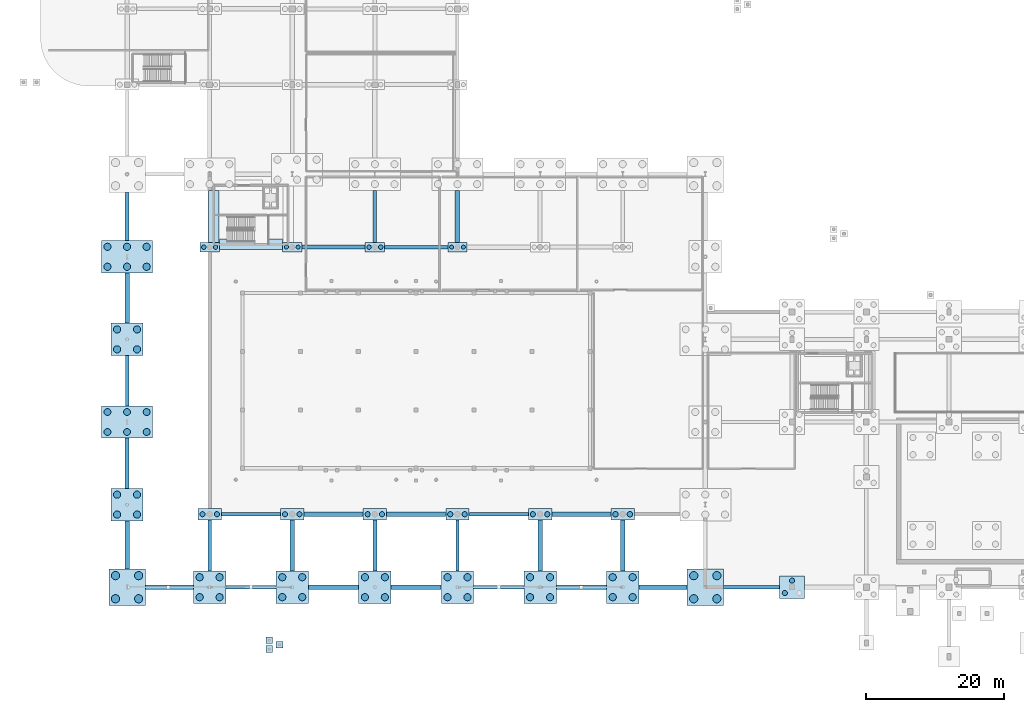
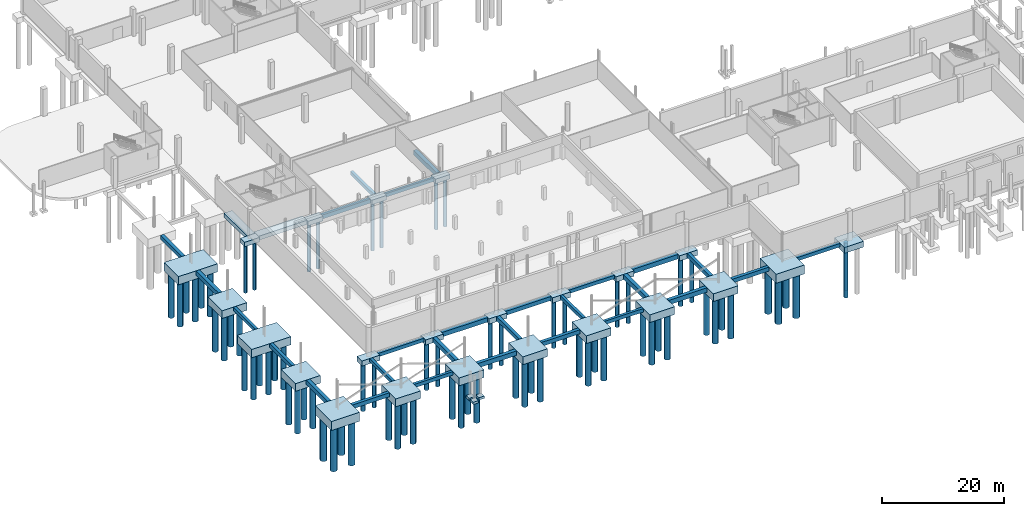
# One storey, part 1 of 42: 74 piles, 56 footings.
"""IFC4 building model written with IfcOpenShell, lengths in metres."""

from ifc_helpers import new_model, si_unit, direction, frame, origin, origin_2d, place, context, subcontext, project, spatial, rectangle, circle, extrude, material, material_profile, profile_set, type_object, element, save


model = new_model("IFC4")

# Units and contexts
model_context = context("Model", 3, precision=1e-05, world=origin(), true_north=direction((0.0, 1.0)))
body_context = subcontext(model_context, "Body", "Model", "MODEL_VIEW")
ifc_project = project(units=[si_unit("LENGTHUNIT", "METRE"), si_unit("AREAUNIT", "SQUARE_METRE"), si_unit("VOLUMEUNIT", "CUBIC_METRE"), si_unit("PLANEANGLEUNIT", "RADIAN"), si_unit("MASSUNIT", "GRAM", prefix="KILO"), si_unit("THERMODYNAMICTEMPERATUREUNIT", "KELVIN"), si_unit("POWERUNIT", "WATT")], contexts=[model_context])

# Site, building, storey
site_placement = place(None, origin())
site = spatial("IfcSite", under=ifc_project, at=site_placement, CompositionType="ELEMENT")
building_placement = place(site_placement, origin())
building = spatial("IfcBuilding", under=site, at=building_placement, Name="Solmara Park Aquatics Centre", CompositionType="ELEMENT")
storey_placement = place(building_placement, frame((0.0, 0.0, -5.39990234375)))
storey = spatial("IfcBuildingStorey", under=building, at=storey_placement, Name="B1", CompositionType="ELEMENT", Elevation=-5.39990234375)

# Footings
ifc_material = material(Name="Watertight Concrete C45/55", Category="concrete")
footing_type_1 = type_object("IfcFootingType", Name="STR-FB-500x700", PredefinedType="FOOTING_BEAM", material=ifc_material)
for number, where, z_axis, x_axis, name in (
    (1, (30.60009765625, 12.60009765625, -1.25), (0.0, 0.0, 1.0), (1.0, 0.0, 0.0), "Ground Tie Beam FB-002"),
    (2, (66.60009765625, 12.60009765625, -1.25), (0.0, 0.0, 1.0), (1.0, 0.0, 0.0), "Ground Tie Beam FB-005"),
):
    element("IfcFooting", number, at=place(storey_placement, frame(where, z_axis=z_axis, x_axis=x_axis)), inside=storey, type_object=footing_type_1, Name=name, PredefinedType="FOOTING_BEAM", context=body_context, shape_type="SweptSolid", body=[
        extrude(rectangle(XDim=7.280029296875, YDim=0.5, at=origin_2d()), origin(), (0.0, 0.0, 1.0), 0.699951171875),
    ])
footing_1_placement = place(storey_placement, frame((103.324951171875, 12.60009765625, -1.25), z_axis=(0.0, 0.0, 1.0), x_axis=(1.0, 0.0, 0.0)))
element("IfcFooting", 3, at=footing_1_placement, inside=storey, type_object=footing_type_1, Name="Ground Tie Beam FB-008", PredefinedType="FOOTING_BEAM", context=body_context, shape_type="SweptSolid", body=[
    extrude(rectangle(XDim=8.1298828125, YDim=0.5, at=origin_2d()), origin(), (0.0, 0.0, 1.0), 0.699951171875),
])
for number, where, z_axis, x_axis, name in (
    (4, (30.60009765625, 23.199951171875, -1.25), (0.0, 0.0, 1.0), (1.0, 0.0, 0.0), "Ground Tie Beam FB-018"),
    (5, (66.60009765625, 23.199951171875, -1.25), (0.0, 0.0, 1.0), (1.0, 0.0, 0.0), "Ground Tie Beam FB-021"),
):
    element("IfcFooting", number, at=place(storey_placement, frame(where, z_axis=z_axis, x_axis=x_axis)), inside=storey, type_object=footing_type_1, Name=name, PredefinedType="FOOTING_BEAM", context=body_context, shape_type="SweptSolid", body=[
        extrude(rectangle(XDim=8.580078125, YDim=0.5, at=origin_2d()), origin(), (0.0, 0.0, 1.0), 0.699951171875),
    ])
footing_2_placement = place(storey_placement, frame((54.60009765625, 62.0, -1.25), z_axis=(0.0, 0.0, 1.0), x_axis=(1.0, 0.0, 0.0)))
element("IfcFooting", 6, at=footing_2_placement, inside=storey, type_object=footing_type_1, Name="Ground Tie Beam FB-056", PredefinedType="FOOTING_BEAM", context=body_context, shape_type="SweptSolid", body=[
    extrude(rectangle(XDim=9.179931640625, YDim=0.5, at=origin_2d()), origin(), (0.0, 0.0, 1.0), 0.699951171875),
])
footing_3_placement = place(storey_placement, frame((12.60009765625, 42.60009765625, -1.25), z_axis=(0.0, 0.0, 1.0), x_axis=(1.0, 0.0, 0.0)))
element("IfcFooting", 7, at=footing_3_placement, inside=storey, type_object=footing_type_1, Name="Ground Tie Beam FB-114", PredefinedType="FOOTING_BEAM", context=body_context, shape_type="SweptSolid", body=[
    extrude(rectangle(XDim=0.5, YDim=7.280029296875, at=origin_2d()), origin(), (0.0, 0.0, 1.0), 0.699951171875),
])
footing_4_placement = place(storey_placement, frame((24.60009765625, 18.675048828125, -1.25), z_axis=(0.0, 0.0, 1.0), x_axis=(1.0, 0.0, 0.0)))
element("IfcFooting", 8, at=footing_4_placement, inside=storey, type_object=footing_type_1, Name="Ground Tie Beam FB-120", PredefinedType="FOOTING_BEAM", context=body_context, shape_type="SweptSolid", body=[
    extrude(rectangle(XDim=0.5, YDim=7.429931640625, at=origin_2d()), origin(), (0.0, 0.0, 1.0), 0.699951171875),
])
footing_5_placement = place(storey_placement, frame((48.60009765625, 66.47509765625, -1.25), z_axis=(0.0, 0.0, 1.0), x_axis=(1.0, 0.0, 0.0)))
element("IfcFooting", 9, at=footing_5_placement, inside=storey, type_object=footing_type_1, Name="Ground Tie Beam FB-131", PredefinedType="FOOTING_BEAM", context=body_context, shape_type="SweptSolid", body=[
    extrude(rectangle(XDim=0.5, YDim=7.530029296875, at=origin_2d()), origin(), (0.0, 0.0, 1.0), 0.699951171875),
])
footing_6_placement = place(storey_placement, frame((60.60009765625, 18.675048828125, -1.25), z_axis=(0.0, 0.0, 1.0), x_axis=(1.0, 0.0, 0.0)))
element("IfcFooting", 10, at=footing_6_placement, inside=storey, type_object=footing_type_1, Name="Ground Tie Beam FB-136", PredefinedType="FOOTING_BEAM", context=body_context, shape_type="SweptSolid", body=[
    extrude(rectangle(XDim=0.5, YDim=7.429931640625, at=origin_2d()), origin(), (0.0, 0.0, 1.0), 0.699951171875),
])
footing_type_2 = type_object("IfcFootingType", Name="STR-FB-600x800", PredefinedType="FOOTING_BEAM", material=ifc_material)
footing_7_placement = place(storey_placement, frame((18.75, 12.60009765625, -1.35009765625), z_axis=(0.0, 0.0, 1.0), x_axis=(1.0, 0.0, 0.0)))
element("IfcFooting", 11, at=footing_7_placement, inside=storey, type_object=footing_type_2, Name="Ground Tie Beam FB-001", PredefinedType="FOOTING_BEAM", context=body_context, shape_type="SweptSolid", body=[
    extrude(rectangle(XDim=6.97998046875, YDim=0.60009765625, at=origin_2d()), origin(), (0.0, 0.0, 1.0), 0.800048828125),
])
footing_8_placement = place(storey_placement, frame((54.60009765625, 12.60009765625, -1.35009765625), z_axis=(0.0, 0.0, 1.0), x_axis=(1.0, 0.0, 0.0)))
element("IfcFooting", 12, at=footing_8_placement, inside=storey, type_object=footing_type_2, Name="Ground Tie Beam FB-004", PredefinedType="FOOTING_BEAM", context=body_context, shape_type="SweptSolid", body=[
    extrude(rectangle(XDim=7.280029296875, YDim=0.60009765625, at=origin_2d()), origin(), (0.0, 0.0, 1.0), 0.800048828125),
])
footing_9_placement = place(storey_placement, frame((90.449951171875, 12.60009765625, -1.35009765625), z_axis=(0.0, 0.0, 1.0), x_axis=(1.0, 0.0, 0.0)))
element("IfcFooting", 13, at=footing_9_placement, inside=storey, type_object=footing_type_2, Name="Ground Tie Beam FB-007", PredefinedType="FOOTING_BEAM", context=body_context, shape_type="SweptSolid", body=[
    extrude(rectangle(XDim=6.97998046875, YDim=0.60009765625, at=origin_2d()), origin(), (0.0, 0.0, 1.0), 0.800048828125),
])
footing_10_placement = place(storey_placement, frame((54.60009765625, 23.199951171875, -1.35009765625), z_axis=(0.0, 0.0, 1.0), x_axis=(1.0, 0.0, 0.0)))
element("IfcFooting", 14, at=footing_10_placement, inside=storey, type_object=footing_type_2, Name="Ground Tie Beam FB-020", PredefinedType="FOOTING_BEAM", context=body_context, shape_type="SweptSolid", body=[
    extrude(rectangle(XDim=8.580078125, YDim=0.60009765625, at=origin_2d()), origin(), (0.0, 0.0, 1.0), 0.800048828125),
])
footing_11_placement = place(storey_placement, frame((42.60009765625, 62.0, -1.35009765625), z_axis=(0.0, 0.0, 1.0), x_axis=(1.0, 0.0, 0.0)))
element("IfcFooting", 15, at=footing_11_placement, inside=storey, type_object=footing_type_2, Name="Ground Tie Beam FB-055", PredefinedType="FOOTING_BEAM", context=body_context, shape_type="SweptSolid", body=[
    extrude(rectangle(XDim=9.179931640625, YDim=0.60009765625, at=origin_2d()), origin(), (0.0, 0.0, 1.0), 0.800048828125),
])
footing_12_placement = place(storey_placement, frame((12.60009765625, 30.60009765625, -1.35009765625), z_axis=(0.0, 0.0, 1.0), x_axis=(1.0, 0.0, 0.0)))
element("IfcFooting", 16, at=footing_12_placement, inside=storey, type_object=footing_type_2, Name="Ground Tie Beam FB-113", PredefinedType="FOOTING_BEAM", context=body_context, shape_type="SweptSolid", body=[
    extrude(rectangle(XDim=0.60009765625, YDim=7.280029296875, at=origin_2d()), origin(), (0.0, 0.0, 1.0), 0.800048828125),
])
footing_13_placement = place(storey_placement, frame((12.60009765625, 66.449951171875, -1.35009765625), z_axis=(0.0, 0.0, 1.0), x_axis=(1.0, 0.0, 0.0)))
element("IfcFooting", 17, at=footing_13_placement, inside=storey, type_object=footing_type_2, Name="Ground Tie Beam FB-116", PredefinedType="FOOTING_BEAM", context=body_context, shape_type="SweptSolid", body=[
    extrude(rectangle(XDim=0.60009765625, YDim=6.97998046875, at=origin_2d()), origin(), (0.0, 0.0, 1.0), 0.800048828125),
])
for number, where, z_axis, x_axis, name in (
    (18, (48.60009765625, 18.675048828125, -1.35009765625), (0.0, 0.0, 1.0), (1.0, 0.0, 0.0), "Ground Tie Beam FB-130"),
    (19, (84.60009765625, 18.675048828125, -1.35009765625), (0.0, 0.0, 1.0), (1.0, 0.0, 0.0), "Ground Tie Beam FB-147"),
):
    element("IfcFooting", number, at=place(storey_placement, frame(where, z_axis=z_axis, x_axis=x_axis)), inside=storey, type_object=footing_type_2, Name=name, PredefinedType="FOOTING_BEAM", context=body_context, shape_type="SweptSolid", body=[
        extrude(rectangle(XDim=0.60009765625, YDim=7.429931640625, at=origin_2d()), origin(), (0.0, 0.0, 1.0), 0.800048828125),
    ])
footing_type_3 = type_object("IfcFootingType", Name="STR-FB-650x900", PredefinedType="FOOTING_BEAM", material=ifc_material)
for number, where, z_axis, x_axis, name in (
    (20, (42.60009765625, 12.60009765625, -1.449951171875), (0.0, 0.0, 1.0), (1.0, 0.0, 0.0), "Ground Tie Beam FB-003"),
    (21, (78.60009765625, 12.60009765625, -1.449951171875), (0.0, 0.0, 1.0), (1.0, 0.0, 0.0), "Ground Tie Beam FB-006"),
):
    element("IfcFooting", number, at=place(storey_placement, frame(where, z_axis=z_axis, x_axis=x_axis)), inside=storey, type_object=footing_type_3, Name=name, PredefinedType="FOOTING_BEAM", context=body_context, shape_type="SweptSolid", body=[
        extrude(rectangle(XDim=7.280029296875, YDim=0.64990234375, at=origin_2d()), origin(), (0.0, 0.0, 1.0), 0.89990234375),
    ])
for number, where, z_axis, x_axis, name in (
    (22, (42.60009765625, 23.199951171875, -1.449951171875), (0.0, 0.0, 1.0), (1.0, 0.0, 0.0), "Ground Tie Beam FB-019"),
    (23, (78.60009765625, 23.199951171875, -1.449951171875), (0.0, 0.0, 1.0), (1.0, 0.0, 0.0), "Ground Tie Beam FB-022"),
):
    element("IfcFooting", number, at=place(storey_placement, frame(where, z_axis=z_axis, x_axis=x_axis)), inside=storey, type_object=footing_type_3, Name=name, PredefinedType="FOOTING_BEAM", context=body_context, shape_type="SweptSolid", body=[
        extrude(rectangle(XDim=8.580078125, YDim=0.64990234375, at=origin_2d()), origin(), (0.0, 0.0, 1.0), 0.89990234375),
    ])
footing_14_placement = place(storey_placement, frame((12.60009765625, 18.75, -1.449951171875), z_axis=(0.0, 0.0, 1.0), x_axis=(1.0, 0.0, 0.0)))
element("IfcFooting", 24, at=footing_14_placement, inside=storey, type_object=footing_type_3, Name="Ground Tie Beam FB-112", PredefinedType="FOOTING_BEAM", context=body_context, shape_type="SweptSolid", body=[
    extrude(rectangle(XDim=0.64990234375, YDim=6.97998046875, at=origin_2d()), origin(), (0.0, 0.0, 1.0), 0.89990234375),
])
footing_15_placement = place(storey_placement, frame((12.60009765625, 54.60009765625, -1.449951171875), z_axis=(0.0, 0.0, 1.0), x_axis=(1.0, 0.0, 0.0)))
element("IfcFooting", 25, at=footing_15_placement, inside=storey, type_object=footing_type_3, Name="Ground Tie Beam FB-115", PredefinedType="FOOTING_BEAM", context=body_context, shape_type="SweptSolid", body=[
    extrude(rectangle(XDim=0.64990234375, YDim=7.280029296875, at=origin_2d()), origin(), (0.0, 0.0, 1.0), 0.89990234375),
])
footing_16_placement = place(storey_placement, frame((36.60009765625, 18.675048828125, -1.449951171875), z_axis=(0.0, 0.0, 1.0), x_axis=(1.0, 0.0, 0.0)))
element("IfcFooting", 26, at=footing_16_placement, inside=storey, type_object=footing_type_3, Name="Ground Tie Beam FB-124", PredefinedType="FOOTING_BEAM", context=body_context, shape_type="SweptSolid", body=[
    extrude(rectangle(XDim=0.64990234375, YDim=7.429931640625, at=origin_2d()), origin(), (0.0, 0.0, 1.0), 0.89990234375),
])
footing_17_placement = place(storey_placement, frame((60.60009765625, 66.47509765625, -1.449951171875), z_axis=(0.0, 0.0, 1.0), x_axis=(1.0, 0.0, 0.0)))
element("IfcFooting", 27, at=footing_17_placement, inside=storey, type_object=footing_type_3, Name="Ground Tie Beam FB-137", PredefinedType="FOOTING_BEAM", context=body_context, shape_type="SweptSolid", body=[
    extrude(rectangle(XDim=0.64990234375, YDim=7.530029296875, at=origin_2d()), origin(), (0.0, 0.0, 1.0), 0.89990234375),
])
footing_18_placement = place(storey_placement, frame((72.60009765625, 18.675048828125, -1.449951171875), z_axis=(0.0, 0.0, 1.0), x_axis=(1.0, 0.0, 0.0)))
element("IfcFooting", 28, at=footing_18_placement, inside=storey, type_object=footing_type_3, Name="Ground Tie Beam FB-143", PredefinedType="FOOTING_BEAM", context=body_context, shape_type="SweptSolid", body=[
    extrude(rectangle(XDim=0.64990234375, YDim=7.429931640625, at=origin_2d()), origin(), (0.0, 0.0, 1.0), 0.89990234375),
])
footing_type_4 = type_object("IfcFootingType", Name="STR-PC-2P600", PredefinedType="PILE_CAP", material=ifc_material)
for number, where, z_axis, x_axis, name in (
    (29, (24.60009765625, 62.0, -1.449951171875), (0.0, 0.0, 1.0), (1.0, 0.0, 0.0), "Pile Cap PC-012"),
    (30, (36.60009765625, 62.0, -1.449951171875), (0.0, 0.0, 1.0), (1.0, 0.0, 0.0), "Pile Cap PC-021"),
    (31, (48.60009765625, 62.0, -1.449951171875), (0.0, 0.0, 1.0), (1.0, 0.0, 0.0), "Pile Cap PC-030"),
    (32, (60.60009765625, 62.0, -1.449951171875), (0.0, 0.0, 1.0), (1.0, 0.0, 0.0), "Pile Cap PC-039"),
):
    element("IfcFooting", number, at=place(storey_placement, frame(where, z_axis=z_axis, x_axis=x_axis)), inside=storey, type_object=footing_type_4, Name=name, PredefinedType="PILE_CAP", context=body_context, shape_type="SweptSolid", body=[
        extrude(rectangle(XDim=2.800048828125, YDim=1.39990234375, at=origin_2d()), origin(), (0.0, 0.0, 1.0), 0.89990234375),
    ])
footing_type_5 = type_object("IfcFootingType", Name="STR-PC-2P750", PredefinedType="PILE_CAP", material=ifc_material)
for number, where, z_axis, x_axis, name in (
    (33, (24.60009765625, 23.199951171875, -1.60009765625), (0.0, 0.0, 1.0), (1.0, 0.0, 0.0), "Pile Cap PC-011"),
    (34, (36.60009765625, 23.199951171875, -1.60009765625), (0.0, 0.0, 1.0), (1.0, 0.0, 0.0), "Pile Cap PC-020"),
    (35, (48.60009765625, 23.199951171875, -1.60009765625), (0.0, 0.0, 1.0), (1.0, 0.0, 0.0), "Pile Cap PC-029"),
    (36, (60.60009765625, 23.199951171875, -1.60009765625), (0.0, 0.0, 1.0), (1.0, 0.0, 0.0), "Pile Cap PC-038"),
    (37, (72.60009765625, 23.199951171875, -1.60009765625), (0.0, 0.0, 1.0), (1.0, 0.0, 0.0), "Pile Cap PC-047"),
    (38, (84.60009765625, 23.199951171875, -1.60009765625), (0.0, 0.0, 1.0), (1.0, 0.0, 0.0), "Pile Cap PC-054"),
):
    element("IfcFooting", number, at=place(storey_placement, frame(where, z_axis=z_axis, x_axis=x_axis)), inside=storey, type_object=footing_type_5, Name=name, PredefinedType="PILE_CAP", context=body_context, shape_type="SweptSolid", body=[
        extrude(rectangle(XDim=3.39990234375, YDim=1.60009765625, at=origin_2d()), origin(), (0.0, 0.0, 1.0), 1.050048828125),
    ])
footing_type_6 = type_object("IfcFootingType", Name="STR-PC-3P750", PredefinedType="PILE_CAP", material=ifc_material)
footing_19_placement = place(storey_placement, frame((109.199951171875, 12.60009765625, -1.699951171875), z_axis=(0.0, 0.0, 1.0), x_axis=(1.0, 0.0, 0.0)))
element("IfcFooting", 39, at=footing_19_placement, inside=storey, type_object=footing_type_6, Name="Pile Cap PC-071", PredefinedType="PILE_CAP", context=body_context, shape_type="SweptSolid", body=[
    extrude(rectangle(XDim=3.60009765625, YDim=3.300048828125, at=origin_2d()), origin(), (0.0, 0.0, 1.0), 1.14990234375),
])
footing_type_7 = type_object("IfcFootingType", Name="STR-PC-4P1050", PredefinedType="PILE_CAP", material=ifc_material)
for number, where, z_axis, x_axis, name in (
    (40, (12.60009765625, 24.60009765625, -2.10009765625), (0.0, 0.0, 1.0), (1.0, 0.0, 0.0), "Pile Cap PC-002"),
    (41, (12.60009765625, 48.60009765625, -2.10009765625), (0.0, 0.0, 1.0), (1.0, 0.0, 0.0), "Pile Cap PC-004"),
    (42, (24.60009765625, 12.60009765625, -2.10009765625), (0.0, 0.0, 1.0), (1.0, 0.0, 0.0), "Pile Cap PC-010"),
    (43, (36.60009765625, 12.60009765625, -2.10009765625), (0.0, 0.0, 1.0), (1.0, 0.0, 0.0), "Pile Cap PC-019"),
    (44, (48.60009765625, 12.60009765625, -2.10009765625), (0.0, 0.0, 1.0), (1.0, 0.0, 0.0), "Pile Cap PC-028"),
    (45, (60.60009765625, 12.60009765625, -2.10009765625), (0.0, 0.0, 1.0), (1.0, 0.0, 0.0), "Pile Cap PC-037"),
    (46, (72.60009765625, 12.60009765625, -2.10009765625), (0.0, 0.0, 1.0), (1.0, 0.0, 0.0), "Pile Cap PC-046"),
    (47, (84.60009765625, 12.60009765625, -2.10009765625), (0.0, 0.0, 1.0), (1.0, 0.0, 0.0), "Pile Cap PC-053"),
):
    element("IfcFooting", number, at=place(storey_placement, frame(where, z_axis=z_axis, x_axis=x_axis)), inside=storey, type_object=footing_type_7, Name=name, PredefinedType="PILE_CAP", context=body_context, shape_type="SweptSolid", body=[
        extrude(rectangle(XDim=4.699951171875, YDim=4.699951171875, at=origin_2d()), origin(), (0.0, 0.0, 1.0), 1.550048828125),
    ])
footing_type_8 = type_object("IfcFootingType", Name="STR-PC-4P1200", PredefinedType="PILE_CAP", material=ifc_material)
for number, where, z_axis, x_axis, name in (
    (48, (12.60009765625, 12.60009765625, -2.35009765625), (0.0, 0.0, 1.0), (1.0, 0.0, 0.0), "Pile Cap PC-001"),
    (49, (96.60009765625, 12.60009765625, -2.35009765625), (0.0, 0.0, 1.0), (1.0, 0.0, 0.0), "Pile Cap PC-060"),
):
    element("IfcFooting", number, at=place(storey_placement, frame(where, z_axis=z_axis, x_axis=x_axis)), inside=storey, type_object=footing_type_8, Name=name, PredefinedType="PILE_CAP", context=body_context, shape_type="SweptSolid", body=[
        extrude(rectangle(XDim=5.300048828125, YDim=5.300048828125, at=origin_2d()), origin(), (0.0, 0.0, 1.0), 1.800048828125),
    ])
footing_type_9 = type_object("IfcFootingType", Name="STR-PC-6P1050", PredefinedType="PILE_CAP", material=ifc_material)
for number, where, z_axis, x_axis, name in (
    (50, (12.60009765625, 36.60009765625, -2.199951171875), (0.0, 0.0, 1.0), (1.0, 0.0, 0.0), "Pile Cap PC-003"),
    (51, (12.60009765625, 60.60009765625, -2.199951171875), (0.0, 0.0, 1.0), (1.0, 0.0, 0.0), "Pile Cap PC-005"),
):
    element("IfcFooting", number, at=place(storey_placement, frame(where, z_axis=z_axis, x_axis=x_axis)), inside=storey, type_object=footing_type_9, Name=name, PredefinedType="PILE_CAP", context=body_context, shape_type="SweptSolid", body=[
        extrude(rectangle(XDim=7.39990234375, YDim=4.699951171875, at=origin_2d()), origin(), (0.0, 0.0, 1.0), 1.64990234375),
    ])
footing_type_10 = type_object("IfcFootingType", Name="STR-PF-1000", PredefinedType="PAD_FOOTING", material=ifc_material)
for number, where, z_axis, x_axis, name in (
    (52, (33.25, 3.60009765625, -1.0), (0.0, 0.0, 1.0), (1.0, 0.0, 0.0), "Competition Colonnade Accessible Ramp Foundation Pier 1 Footing"),
    (53, (33.25, 4.89990234375, -1.0), (0.0, 0.0, 1.0), (1.0, 0.0, 0.0), "Competition Colonnade Accessible Ramp Foundation Pier 2 Footing"),
    (54, (34.75, 4.25, -1.0), (0.0, 0.0, 1.0), (1.0, 0.0, 0.0), "Competition Colonnade Accessible Ramp Foundation Pier 3 Footing"),
):
    element("IfcFooting", number, at=place(storey_placement, frame(where, z_axis=z_axis, x_axis=x_axis)), inside=storey, type_object=footing_type_10, Name=name, PredefinedType="PAD_FOOTING", context=body_context, shape_type="SweptSolid", body=[
        extrude(rectangle(XDim=1.0, YDim=1.0, at=origin_2d()), origin(), (0.0, 0.0, 1.0), 0.449951171875),
    ])

# Piles
ifc_material_profile_1 = material_profile(ifc_material, circle(Radius=0.5, at=origin_2d()), Name="BORED PILE D1000")
ifc_profile_set_1 = profile_set([ifc_material_profile_1], Name="Watertight Concrete C45/55")
pile_type_1 = type_object("IfcPileType", Name="STR-PILE-D1000", PredefinedType="BORED", material=ifc_profile_set_1)
for number, where, z_axis, x_axis, name in (
    (55, (9.75, 35.14990234375, -2.10009765625), (0.0, 0.0, -1.0), (1.0, 0.0, 0.0), "Bored Pile PL-0009"),
    (56, (12.60009765625, 35.14990234375, -2.10009765625), (0.0, 0.0, -1.0), (1.0, 0.0, 0.0), "Bored Pile PL-0010"),
    (57, (15.449951171875, 35.14990234375, -2.10009765625), (0.0, 0.0, -1.0), (1.0, 0.0, 0.0), "Bored Pile PL-0011"),
    (58, (9.75, 38.050048828125, -2.10009765625), (0.0, 0.0, -1.0), (1.0, 0.0, 0.0), "Bored Pile PL-0012"),
    (59, (12.60009765625, 38.050048828125, -2.10009765625), (0.0, 0.0, -1.0), (1.0, 0.0, 0.0), "Bored Pile PL-0013"),
    (60, (15.449951171875, 38.050048828125, -2.10009765625), (0.0, 0.0, -1.0), (1.0, 0.0, 0.0), "Bored Pile PL-0014"),
):
    element("IfcPile", number, at=place(storey_placement, frame(where, z_axis=z_axis, x_axis=x_axis)), inside=storey, type_object=pile_type_1, Name=name, PredefinedType="BORED", context=body_context, shape_type="SweptSolid", body=[
        extrude(circle(Radius=0.5, at=origin_2d()), origin(), (0.0, 0.0, 1.0), 9.0),
    ])
ifc_material_profile_2 = material_profile(ifc_material, circle(Radius=0.52490234375, at=origin_2d()), Name="BORED PILE D1050")
ifc_profile_set_2 = profile_set([ifc_material_profile_2], Name="Watertight Concrete C45/55")
pile_type_2 = type_object("IfcPileType", Name="STR-PILE-D1050", PredefinedType="BORED", material=ifc_profile_set_2)
for number, where, z_axis, x_axis, name in (
    (61, (11.14990234375, 23.14990234375, -2.0), (0.0, 0.0, -1.0), (1.0, 0.0, 0.0), "Bored Pile PL-0005"),
    (62, (14.050048828125, 23.14990234375, -2.0), (0.0, 0.0, -1.0), (1.0, 0.0, 0.0), "Bored Pile PL-0006"),
    (63, (11.14990234375, 26.050048828125, -2.0), (0.0, 0.0, -1.0), (1.0, 0.0, 0.0), "Bored Pile PL-0007"),
    (64, (14.050048828125, 26.050048828125, -2.0), (0.0, 0.0, -1.0), (1.0, 0.0, 0.0), "Bored Pile PL-0008"),
    (65, (11.14990234375, 47.14990234375, -2.0), (0.0, 0.0, -1.0), (1.0, 0.0, 0.0), "Bored Pile PL-0015"),
    (66, (14.050048828125, 47.14990234375, -2.0), (0.0, 0.0, -1.0), (1.0, 0.0, 0.0), "Bored Pile PL-0016"),
    (67, (11.14990234375, 50.050048828125, -2.0), (0.0, 0.0, -1.0), (1.0, 0.0, 0.0), "Bored Pile PL-0017"),
    (68, (14.050048828125, 50.050048828125, -2.0), (0.0, 0.0, -1.0), (1.0, 0.0, 0.0), "Bored Pile PL-0018"),
):
    element("IfcPile", number, at=place(storey_placement, frame(where, z_axis=z_axis, x_axis=x_axis)), inside=storey, type_object=pile_type_2, Name=name, PredefinedType="BORED", context=body_context, shape_type="SweptSolid", body=[
        extrude(circle(Radius=0.52490234375, at=origin_2d()), origin(), (0.0, 0.0, 1.0), 9.10009765625),
    ])
for number, where, z_axis, x_axis, name in (
    (69, (9.75, 59.14990234375, -2.10009765625), (0.0, 0.0, -1.0), (1.0, 0.0, 0.0), "Bored Pile PL-0019"),
    (70, (12.60009765625, 59.14990234375, -2.10009765625), (0.0, 0.0, -1.0), (1.0, 0.0, 0.0), "Bored Pile PL-0020"),
    (71, (15.449951171875, 59.14990234375, -2.10009765625), (0.0, 0.0, -1.0), (1.0, 0.0, 0.0), "Bored Pile PL-0021"),
    (72, (9.75, 62.050048828125, -2.10009765625), (0.0, 0.0, -1.0), (1.0, 0.0, 0.0), "Bored Pile PL-0022"),
    (73, (12.60009765625, 62.050048828125, -2.10009765625), (0.0, 0.0, -1.0), (1.0, 0.0, 0.0), "Bored Pile PL-0023"),
    (74, (15.449951171875, 62.050048828125, -2.10009765625), (0.0, 0.0, -1.0), (1.0, 0.0, 0.0), "Bored Pile PL-0024"),
):
    element("IfcPile", number, at=place(storey_placement, frame(where, z_axis=z_axis, x_axis=x_axis)), inside=storey, type_object=pile_type_2, Name=name, PredefinedType="BORED", context=body_context, shape_type="SweptSolid", body=[
        extrude(circle(Radius=0.52490234375, at=origin_2d()), origin(), (0.0, 0.0, 1.0), 9.0),
    ])
for number, where, z_axis, x_axis, name in (
    (75, (23.14990234375, 11.14990234375, -2.0), (0.0, 0.0, -1.0), (1.0, 0.0, 0.0), "Bored Pile PL-0035"),
    (76, (26.050048828125, 11.14990234375, -2.0), (0.0, 0.0, -1.0), (1.0, 0.0, 0.0), "Bored Pile PL-0036"),
    (77, (23.14990234375, 14.050048828125, -2.0), (0.0, 0.0, -1.0), (1.0, 0.0, 0.0), "Bored Pile PL-0037"),
    (78, (26.050048828125, 14.050048828125, -2.0), (0.0, 0.0, -1.0), (1.0, 0.0, 0.0), "Bored Pile PL-0038"),
    (79, (35.14990234375, 11.14990234375, -2.0), (0.0, 0.0, -1.0), (1.0, 0.0, 0.0), "Bored Pile PL-0061"),
    (80, (38.050048828125, 11.14990234375, -2.0), (0.0, 0.0, -1.0), (1.0, 0.0, 0.0), "Bored Pile PL-0062"),
    (81, (35.14990234375, 14.050048828125, -2.0), (0.0, 0.0, -1.0), (1.0, 0.0, 0.0), "Bored Pile PL-0063"),
    (82, (38.050048828125, 14.050048828125, -2.0), (0.0, 0.0, -1.0), (1.0, 0.0, 0.0), "Bored Pile PL-0064"),
    (83, (47.14990234375, 11.14990234375, -2.0), (0.0, 0.0, -1.0), (1.0, 0.0, 0.0), "Bored Pile PL-0087"),
    (84, (50.050048828125, 11.14990234375, -2.0), (0.0, 0.0, -1.0), (1.0, 0.0, 0.0), "Bored Pile PL-0088"),
    (85, (47.14990234375, 14.050048828125, -2.0), (0.0, 0.0, -1.0), (1.0, 0.0, 0.0), "Bored Pile PL-0089"),
    (86, (50.050048828125, 14.050048828125, -2.0), (0.0, 0.0, -1.0), (1.0, 0.0, 0.0), "Bored Pile PL-0090"),
    (87, (59.14990234375, 11.14990234375, -2.0), (0.0, 0.0, -1.0), (1.0, 0.0, 0.0), "Bored Pile PL-0119"),
    (88, (62.050048828125, 11.14990234375, -2.0), (0.0, 0.0, -1.0), (1.0, 0.0, 0.0), "Bored Pile PL-0120"),
    (89, (59.14990234375, 14.050048828125, -2.0), (0.0, 0.0, -1.0), (1.0, 0.0, 0.0), "Bored Pile PL-0121"),
    (90, (62.050048828125, 14.050048828125, -2.0), (0.0, 0.0, -1.0), (1.0, 0.0, 0.0), "Bored Pile PL-0122"),
    (91, (71.14990234375, 11.14990234375, -2.0), (0.0, 0.0, -1.0), (1.0, 0.0, 0.0), "Bored Pile PL-0151"),
    (92, (74.050048828125, 11.14990234375, -2.0), (0.0, 0.0, -1.0), (1.0, 0.0, 0.0), "Bored Pile PL-0152"),
    (93, (71.14990234375, 14.050048828125, -2.0), (0.0, 0.0, -1.0), (1.0, 0.0, 0.0), "Bored Pile PL-0153"),
    (94, (74.050048828125, 14.050048828125, -2.0), (0.0, 0.0, -1.0), (1.0, 0.0, 0.0), "Bored Pile PL-0154"),
    (95, (83.14990234375, 11.14990234375, -2.0), (0.0, 0.0, -1.0), (1.0, 0.0, 0.0), "Bored Pile PL-0179"),
    (96, (86.050048828125, 11.14990234375, -2.0), (0.0, 0.0, -1.0), (1.0, 0.0, 0.0), "Bored Pile PL-0180"),
    (97, (83.14990234375, 14.050048828125, -2.0), (0.0, 0.0, -1.0), (1.0, 0.0, 0.0), "Bored Pile PL-0181"),
    (98, (86.050048828125, 14.050048828125, -2.0), (0.0, 0.0, -1.0), (1.0, 0.0, 0.0), "Bored Pile PL-0182"),
):
    element("IfcPile", number, at=place(storey_placement, frame(where, z_axis=z_axis, x_axis=x_axis)), inside=storey, type_object=pile_type_2, Name=name, PredefinedType="BORED", context=body_context, shape_type="SweptSolid", body=[
        extrude(circle(Radius=0.52490234375, at=origin_2d()), origin(), (0.0, 0.0, 1.0), 9.10009765625),
    ])
ifc_material_profile_3 = material_profile(ifc_material, circle(Radius=0.60009765625, at=origin_2d()), Name="BORED PILE D1200")
ifc_profile_set_3 = profile_set([ifc_material_profile_3], Name="Watertight Concrete C45/55")
pile_type_3 = type_object("IfcPileType", Name="STR-PILE-D1200", PredefinedType="BORED", material=ifc_profile_set_3)
for number, where, z_axis, x_axis, name in (
    (99, (10.919921875, 10.919921875, -2.25), (0.0, 0.0, -1.0), (1.0, 0.0, 0.0), "Bored Pile PL-0001"),
    (100, (14.280029296875, 10.919921875, -2.25), (0.0, 0.0, -1.0), (1.0, 0.0, 0.0), "Bored Pile PL-0002"),
    (101, (10.919921875, 14.280029296875, -2.25), (0.0, 0.0, -1.0), (1.0, 0.0, 0.0), "Bored Pile PL-0003"),
    (102, (14.280029296875, 14.280029296875, -2.25), (0.0, 0.0, -1.0), (1.0, 0.0, 0.0), "Bored Pile PL-0004"),
    (103, (94.919921875, 10.919921875, -2.25), (0.0, 0.0, -1.0), (1.0, 0.0, 0.0), "Bored Pile PL-0207"),
    (104, (98.280029296875, 10.919921875, -2.25), (0.0, 0.0, -1.0), (1.0, 0.0, 0.0), "Bored Pile PL-0208"),
    (105, (94.919921875, 14.280029296875, -2.25), (0.0, 0.0, -1.0), (1.0, 0.0, 0.0), "Bored Pile PL-0209"),
    (106, (98.280029296875, 14.280029296875, -2.25), (0.0, 0.0, -1.0), (1.0, 0.0, 0.0), "Bored Pile PL-0210"),
):
    element("IfcPile", number, at=place(storey_placement, frame(where, z_axis=z_axis, x_axis=x_axis)), inside=storey, type_object=pile_type_3, Name=name, PredefinedType="BORED", context=body_context, shape_type="SweptSolid", body=[
        extrude(circle(Radius=0.60009765625, at=origin_2d()), origin(), (0.0, 0.0, 1.0), 8.85009765625),
    ])
ifc_material_profile_4 = material_profile(ifc_material, circle(Radius=0.300048828125, at=origin_2d()), Name="BORED PILE D600")
ifc_profile_set_4 = profile_set([ifc_material_profile_4], Name="Watertight Concrete C45/55")
pile_type_4 = type_object("IfcPileType", Name="STR-PILE-D600", PredefinedType="BORED", material=ifc_profile_set_4)
for number, where, z_axis, x_axis, name in (
    (107, (35.75, 62.0, -1.35009765625), (0.0, 0.0, -1.0), (1.0, 0.0, 0.0), "Bored Pile PL-0067"),
    (108, (37.449951171875, 62.0, -1.35009765625), (0.0, 0.0, -1.0), (1.0, 0.0, 0.0), "Bored Pile PL-0068"),
    (109, (59.75, 62.0, -1.35009765625), (0.0, 0.0, -1.0), (1.0, 0.0, 0.0), "Bored Pile PL-0125"),
    (110, (61.449951171875, 62.0, -1.35009765625), (0.0, 0.0, -1.0), (1.0, 0.0, 0.0), "Bored Pile PL-0126"),
):
    element("IfcPile", number, at=place(storey_placement, frame(where, z_axis=z_axis, x_axis=x_axis)), inside=storey, type_object=pile_type_4, Name=name, PredefinedType="BORED", context=body_context, shape_type="SweptSolid", body=[
        extrude(circle(Radius=0.300048828125, at=origin_2d()), origin(), (0.0, 0.0, 1.0), 9.75),
    ])
ifc_material_profile_5 = material_profile(ifc_material, circle(Radius=0.324951171875, at=origin_2d()), Name="BORED PILE D650")
ifc_profile_set_5 = profile_set([ifc_material_profile_5], Name="Watertight Concrete C45/55")
pile_type_5 = type_object("IfcPileType", Name="STR-PILE-D650", PredefinedType="BORED", material=ifc_profile_set_5)
for number, where, z_axis, x_axis, name in (
    (111, (23.75, 62.0, -1.35009765625), (0.0, 0.0, -1.0), (1.0, 0.0, 0.0), "Bored Pile PL-0041"),
    (112, (25.449951171875, 62.0, -1.35009765625), (0.0, 0.0, -1.0), (1.0, 0.0, 0.0), "Bored Pile PL-0042"),
    (113, (47.75, 62.0, -1.35009765625), (0.0, 0.0, -1.0), (1.0, 0.0, 0.0), "Bored Pile PL-0093"),
    (114, (49.449951171875, 62.0, -1.35009765625), (0.0, 0.0, -1.0), (1.0, 0.0, 0.0), "Bored Pile PL-0094"),
):
    element("IfcPile", number, at=place(storey_placement, frame(where, z_axis=z_axis, x_axis=x_axis)), inside=storey, type_object=pile_type_5, Name=name, PredefinedType="BORED", context=body_context, shape_type="SweptSolid", body=[
        extrude(circle(Radius=0.324951171875, at=origin_2d()), origin(), (0.0, 0.0, 1.0), 9.75),
    ])
ifc_material_profile_6 = material_profile(ifc_material, circle(Radius=0.375, at=origin_2d()), Name="BORED PILE D750")
ifc_profile_set_6 = profile_set([ifc_material_profile_6], Name="Watertight Concrete C45/55")
pile_type_6 = type_object("IfcPileType", Name="STR-PILE-D750", PredefinedType="BORED", material=ifc_profile_set_6)
for number, where, z_axis, x_axis, name in (
    (115, (23.550048828125, 23.199951171875, -1.5), (0.0, 0.0, -1.0), (1.0, 0.0, 0.0), "Bored Pile PL-0039"),
    (116, (25.64990234375, 23.199951171875, -1.5), (0.0, 0.0, -1.0), (1.0, 0.0, 0.0), "Bored Pile PL-0040"),
    (117, (35.550048828125, 23.199951171875, -1.5), (0.0, 0.0, -1.0), (1.0, 0.0, 0.0), "Bored Pile PL-0065"),
    (118, (37.64990234375, 23.199951171875, -1.5), (0.0, 0.0, -1.0), (1.0, 0.0, 0.0), "Bored Pile PL-0066"),
    (119, (47.550048828125, 23.199951171875, -1.5), (0.0, 0.0, -1.0), (1.0, 0.0, 0.0), "Bored Pile PL-0091"),
    (120, (49.64990234375, 23.199951171875, -1.5), (0.0, 0.0, -1.0), (1.0, 0.0, 0.0), "Bored Pile PL-0092"),
    (121, (59.550048828125, 23.199951171875, -1.5), (0.0, 0.0, -1.0), (1.0, 0.0, 0.0), "Bored Pile PL-0123"),
    (122, (61.64990234375, 23.199951171875, -1.5), (0.0, 0.0, -1.0), (1.0, 0.0, 0.0), "Bored Pile PL-0124"),
    (123, (71.550048828125, 23.199951171875, -1.5), (0.0, 0.0, -1.0), (1.0, 0.0, 0.0), "Bored Pile PL-0155"),
    (124, (73.64990234375, 23.199951171875, -1.5), (0.0, 0.0, -1.0), (1.0, 0.0, 0.0), "Bored Pile PL-0156"),
):
    element("IfcPile", number, at=place(storey_placement, frame(where, z_axis=z_axis, x_axis=x_axis)), inside=storey, type_object=pile_type_6, Name=name, PredefinedType="BORED", context=body_context, shape_type="SweptSolid", body=[
        extrude(circle(Radius=0.375, at=origin_2d()), origin(), (0.0, 0.0, 1.0), 9.60009765625),
    ])
for number, where, z_axis, x_axis, name in (
    (125, (108.14990234375, 11.75, -1.60009765625), (0.0, 0.0, -1.0), (1.0, 0.0, 0.0), "Bored Pile PL-0253"),
    (126, (109.199951171875, 13.550048828125, -1.60009765625), (0.0, 0.0, -1.0), (1.0, 0.0, 0.0), "Bored Pile PL-0255"),
):
    element("IfcPile", number, at=place(storey_placement, frame(where, z_axis=z_axis, x_axis=x_axis)), inside=storey, type_object=pile_type_6, Name=name, PredefinedType="BORED", context=body_context, shape_type="SweptSolid", body=[
        extrude(circle(Radius=0.375, at=origin_2d()), origin(), (0.0, 0.0, 1.0), 9.5),
    ])
ifc_material_profile_7 = material_profile(ifc_material, circle(Radius=0.39990234375, at=origin_2d()), Name="BORED PILE D800")
ifc_profile_set_7 = profile_set([ifc_material_profile_7], Name="Watertight Concrete C45/55")
pile_type_7 = type_object("IfcPileType", Name="STR-PILE-D800", PredefinedType="BORED", material=ifc_profile_set_7)
for number, where, z_axis, x_axis, name in (
    (127, (83.550048828125, 23.199951171875, -1.5), (0.0, 0.0, -1.0), (1.0, 0.0, 0.0), "Bored Pile PL-0183"),
    (128, (85.64990234375, 23.199951171875, -1.5), (0.0, 0.0, -1.0), (1.0, 0.0, 0.0), "Bored Pile PL-0184"),
):
    element("IfcPile", number, at=place(storey_placement, frame(where, z_axis=z_axis, x_axis=x_axis)), inside=storey, type_object=pile_type_7, Name=name, PredefinedType="BORED", context=body_context, shape_type="SweptSolid", body=[
        extrude(circle(Radius=0.39990234375, at=origin_2d()), origin(), (0.0, 0.0, 1.0), 9.60009765625),
    ])

# Footings
footing_type_11 = type_object("IfcFootingType", Name="STR-SF-1500x800", PredefinedType="STRIP_FOOTING", material=ifc_material)
footing_20_placement = place(storey_placement, frame((30.60009765625, 62.39990234375, -1.35009765625), z_axis=(0.0, 0.0, 1.0), x_axis=(1.0, 0.0, 0.0)))
element("IfcFooting", 129, at=footing_20_placement, inside=storey, type_object=footing_type_11, Name="Core Strip Footing SF-013", PredefinedType="STRIP_FOOTING", context=body_context, shape_type="SweptSolid", body=[
    extrude(rectangle(XDim=9.179931640625, YDim=1.5, at=origin_2d()), origin(), (0.0, 0.0, 1.0), 0.800048828125),
])
footing_21_placement = place(storey_placement, frame((25.199951171875, 66.47509765625, -1.35009765625), z_axis=(0.0, 0.0, 1.0), x_axis=(1.0, 0.0, 0.0)))
element("IfcFooting", 130, at=footing_21_placement, inside=storey, type_object=footing_type_11, Name="Core Strip Footing SF-015", PredefinedType="STRIP_FOOTING", context=body_context, shape_type="SweptSolid", body=[
    extrude(rectangle(XDim=1.5, YDim=7.530029296875, at=origin_2d()), origin(), (0.0, 0.0, 1.0), 0.800048828125),
])

save(model, "model.ifc")
